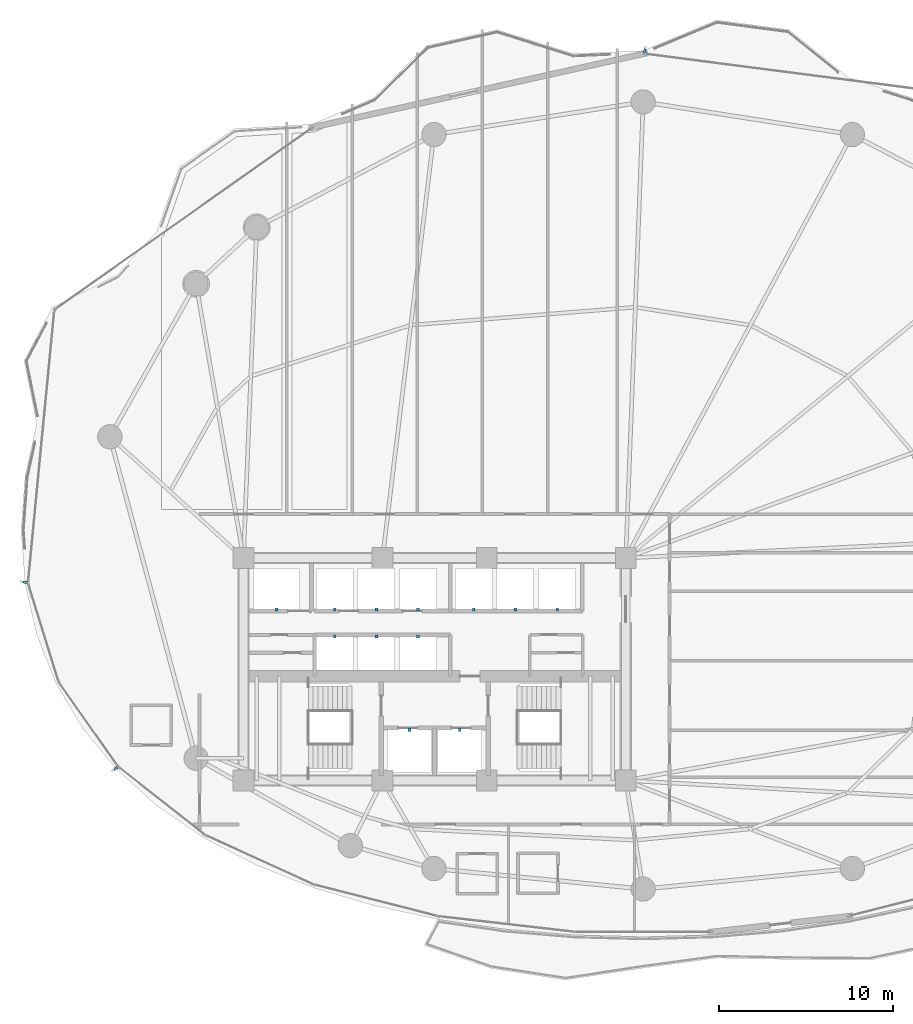
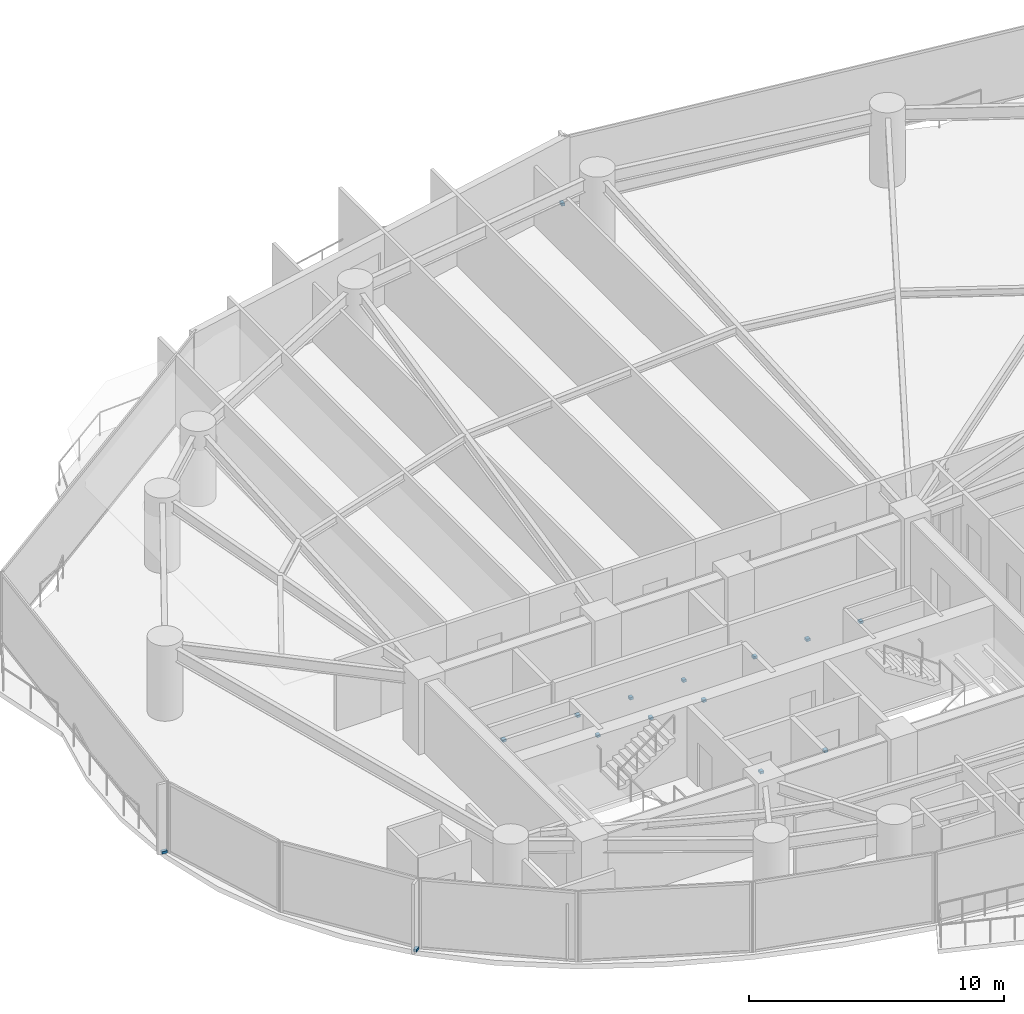
# One storey, part 28 of 32: 15 discrete accessories.
"""IFC4 building model written with IfcOpenShell, lengths in metres."""

from ifc_helpers import new_model, si_unit, direction, frame, origin, origin_2d, place, context, subcontext, project, spatial, rectangle, extrude, material, type_object, element, save


model = new_model("IFC4")

# Units and contexts
model_context = context("Model", 3, precision=1e-05, world=origin(), true_north=direction((0.0, 1.0)))
body_context = subcontext(model_context, "Body", "Model", "MODEL_VIEW")
ifc_project = project(units=[si_unit("LENGTHUNIT", "METRE"), si_unit("AREAUNIT", "SQUARE_METRE"), si_unit("VOLUMEUNIT", "CUBIC_METRE"), si_unit("PLANEANGLEUNIT", "RADIAN"), si_unit("MASSUNIT", "GRAM", prefix="KILO")], contexts=[model_context])

# Site, building, storey
site_placement = place(None, origin())
site = spatial("IfcSite", under=ifc_project, at=site_placement, CompositionType="ELEMENT")
building_placement = place(site_placement, origin())
building = spatial("IfcBuilding", under=site, at=building_placement, Name="Kazevale Care Tower and Concert Hall", CompositionType="ELEMENT")
storey_placement = place(building_placement, frame((0.0, 0.0, 42.0)))
storey = spatial("IfcBuildingStorey", under=building, at=storey_placement, Name="L10", CompositionType="ELEMENT", Elevation=42.0)

# Discrete accessories
ifc_material = material(Name="Stainless Steel 316", Category="steel")
discrete_accessory_type_1 = type_object("IfcDiscreteAccessoryType", Name="Facade Fin Stainless Anchor Bracket BRK-1", PredefinedType="BRACKET", material=ifc_material)
for number, where, z_axis, x_axis, name in (
    (1, (14.656005859375, 24.298828125, 0.0), (0.0, 0.0, 1.0), (-0.817547124842, -0.575861700985, 0.0), "cw:L10:f11:brk"),
    (2, (9.438720703125, 35.01416015625, 0.0), (0.0, 0.0, 1.0), (-0.995379454967, 0.09601948047, 0.0), "cw:L10:f13:brk"),
    (3, (45.096923828125, 65.57080078125, 0.0), (0.0, 0.0, 1.0), (0.128103248172, 0.991760837, 0.0), "cw:L10:f16:brk"),
):
    element("IfcDiscreteAccessory", number, at=place(storey_placement, frame(where, z_axis=z_axis, x_axis=x_axis)), inside=storey, type_object=discrete_accessory_type_1, Name=name, PredefinedType="BRACKET", context=body_context, shape_type="SweptSolid", body=[
        extrude(rectangle(XDim=0.239990234375, YDim=0.139892578125, at=origin_2d()), origin(), (0.0, 0.0, 1.0), 0.1201171875),
    ])
discrete_accessory_type_2 = type_object("IfcDiscreteAccessoryType", Name="Hoistway Guide-Rail Wall Bracket HBRK-1", PredefinedType="BRACKET", material=ifc_material)
for number, where, z_axis, x_axis, name in (
    (4, (31.550048828125, 26.52001953125, 1.239990234375), (0.0, 0.0, 1.0), (1.0, 0.0, 0.0), "hbrk:FFL-1:L10"),
    (5, (34.449951171875, 26.52001953125, 1.239990234375), (0.0, 0.0, 1.0), (1.0, 0.0, 0.0), "hbrk:FFL-2:L10"),
    (6, (23.89990234375, 33.449951171875, 1.239990234375), (0.0, 0.0, 1.0), (1.0, 0.0, 0.0), "hbrk:SVL-1:L10"),
    (7, (27.25, 33.449951171875, 1.239990234375), (0.0, 0.0, 1.0), (1.0, 0.0, 0.0), "hbrk:PL-1:L10"),
    (8, (29.64990234375, 33.449951171875, 1.239990234375), (0.0, 0.0, 1.0), (1.0, 0.0, 0.0), "hbrk:PL-2:L10"),
    (9, (32.050048828125, 33.449951171875, 1.239990234375), (0.0, 0.0, 1.0), (1.0, 0.0, 0.0), "hbrk:PL-3:L10"),
    (10, (35.25, 33.449951171875, 1.239990234375), (0.0, 0.0, 1.0), (1.0, 0.0, 0.0), "hbrk:PM-1:L10"),
    (11, (37.64990234375, 33.449951171875, 1.239990234375), (0.0, 0.0, 1.0), (1.0, 0.0, 0.0), "hbrk:PM-2:L10"),
    (12, (40.050048828125, 33.449951171875, 1.239990234375), (0.0, 0.0, 1.0), (1.0, 0.0, 0.0), "hbrk:PM-3:L10"),
    (13, (27.25, 31.8798828125, 1.239990234375), (0.0, 0.0, 1.0), (1.0, 0.0, 0.0), "hbrk:PH-1:L10"),
    (14, (29.64990234375, 31.8798828125, 1.239990234375), (0.0, 0.0, 1.0), (1.0, 0.0, 0.0), "hbrk:PH-2:L10"),
    (15, (32.050048828125, 31.8798828125, 1.239990234375), (0.0, 0.0, 1.0), (1.0, 0.0, 0.0), "hbrk:PH-3:L10"),
):
    element("IfcDiscreteAccessory", number, at=place(storey_placement, frame(where, z_axis=z_axis, x_axis=x_axis)), inside=storey, type_object=discrete_accessory_type_2, Name=name, PredefinedType="BRACKET", context=body_context, shape_type="SweptSolid", body=[
        extrude(rectangle(XDim=0.159912109375, YDim=0.179931640625, at=origin_2d()), origin(), (0.0, 0.0, 1.0), 0.1201171875),
    ])

save(model, "model.ifc")
